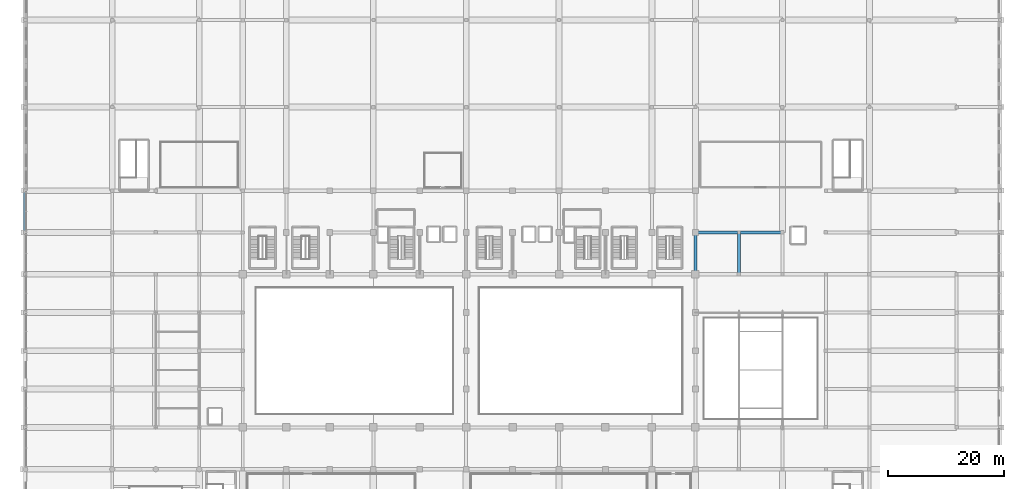
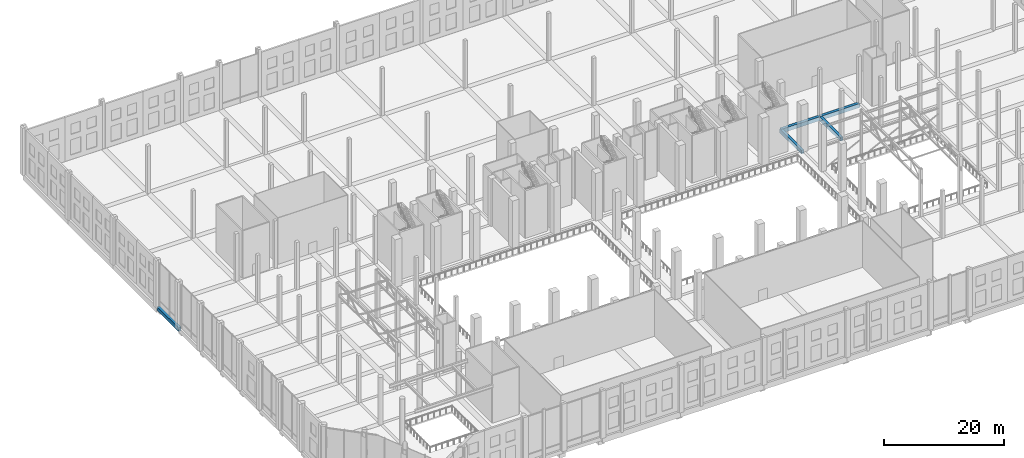
# One storey, part 34 of 80: 5 beams.
"""IFC4 building model written with IfcOpenShell, lengths in metres."""

from ifc_helpers import new_model, si_unit, direction, frame, origin, origin_2d, place, context, subcontext, project, spatial, rectangle, extrude, material, material_profile, profile_set, type_object, element, save


model = new_model("IFC4")

# Units and contexts
model_context = context("Model", 3, precision=1e-05, world=origin(), true_north=direction((0.0, 1.0)))
body_context = subcontext(model_context, "Body", "Model", "MODEL_VIEW")
ifc_project = project(units=[si_unit("LENGTHUNIT", "METRE"), si_unit("AREAUNIT", "SQUARE_METRE"), si_unit("VOLUMEUNIT", "CUBIC_METRE"), si_unit("PLANEANGLEUNIT", "RADIAN"), si_unit("MASSUNIT", "GRAM", prefix="KILO")], contexts=[model_context])

# Site, building, storey
site_placement = place(None, origin())
site = spatial("IfcSite", under=ifc_project, at=site_placement, CompositionType="ELEMENT")
building_placement = place(site_placement, origin())
building = spatial("IfcBuilding", under=site, at=building_placement, Name="Akrevak Sports Hall", CompositionType="ELEMENT")
storey_placement = place(building_placement, frame((0.0, 0.0, 14.0)))
storey = spatial("IfcBuildingStorey", under=building, at=storey_placement, Name="L03", CompositionType="ELEMENT", Elevation=14.0)

# Beams
ifc_material = material(Name="Concrete C40/50", Category="concrete")
ifc_material_profile_1 = material_profile(ifc_material, rectangle(XDim=0.5, YDim=0.75, at=origin_2d()), Name="BM 500x750", Category="concrete")
ifc_profile_set_1 = profile_set([ifc_material_profile_1], Name="Concrete C40/50")
beam_type_1 = type_object("IfcBeamType", Name="STR-BM-RC500x750", PredefinedType="BEAM", material=ifc_profile_set_1)
beam_placement = place(storey_placement, frame((0.0, 62.39990234375, -0.375), z_axis=(0.0, 1.0, 0.0), x_axis=(-1.0, 0.0, 0.0)))
element("IfcBeam", 1, at=beam_placement, inside=storey, type_object=beam_type_1, Name="Girder 1/J-K (L03)", PredefinedType="BEAM", context=body_context, shape_type="SweptSolid", body=[
    extrude(rectangle(XDim=0.5, YDim=0.75, at=origin_2d()), origin(), (0.0, 0.0, 1.0), 7.2001953125),
])
for number, where, z_axis, x_axis, name in (
    (2, (115.5, 55.199951171875, -0.375), (0.0, 1.0, 0.0), (-1.0, 0.0, 0.0), "Girder 16/I-J (L03)"),
    (3, (123.0, 55.199951171875, -0.375), (0.0, 1.0, 0.0), (-1.0, 0.0, 0.0), "Girder 17/I-J (L03)"),
):
    element("IfcBeam", number, at=place(storey_placement, frame(where, z_axis=z_axis, x_axis=x_axis)), inside=storey, type_object=beam_type_1, Name=name, PredefinedType="BEAM", context=body_context, shape_type="SweptSolid", body=[
        extrude(rectangle(XDim=0.5, YDim=0.75, at=origin_2d()), origin(), (0.0, 0.0, 1.0), 7.199951171875),
    ])
ifc_material_profile_2 = material_profile(ifc_material, rectangle(XDim=0.550048828125, YDim=0.800048828125, at=origin_2d()), Name="BM 550x800", Category="concrete")
ifc_profile_set_2 = profile_set([ifc_material_profile_2], Name="Concrete C40/50")
beam_type_2 = type_object("IfcBeamType", Name="STR-BM-RC550x800", PredefinedType="BEAM", material=ifc_profile_set_2)
for number, where, z_axis, x_axis, name in (
    (4, (115.5, 62.39990234375, -0.39990234375), (1.0, 0.0, 0.0), (0.0, 1.0, 0.0), "Girder J/16-17 (L03)"),
    (5, (123.0, 62.39990234375, -0.39990234375), (1.0, 0.0, 0.0), (0.0, 1.0, 0.0), "Girder J/17-18 (L03)"),
):
    element("IfcBeam", number, at=place(storey_placement, frame(where, z_axis=z_axis, x_axis=x_axis)), inside=storey, type_object=beam_type_2, Name=name, PredefinedType="BEAM", context=body_context, shape_type="SweptSolid", body=[
        extrude(rectangle(XDim=0.550048828125, YDim=0.800048828125, at=origin_2d()), origin(), (0.0, 0.0, 1.0), 7.5),
    ])

save(model, "model.ifc")
